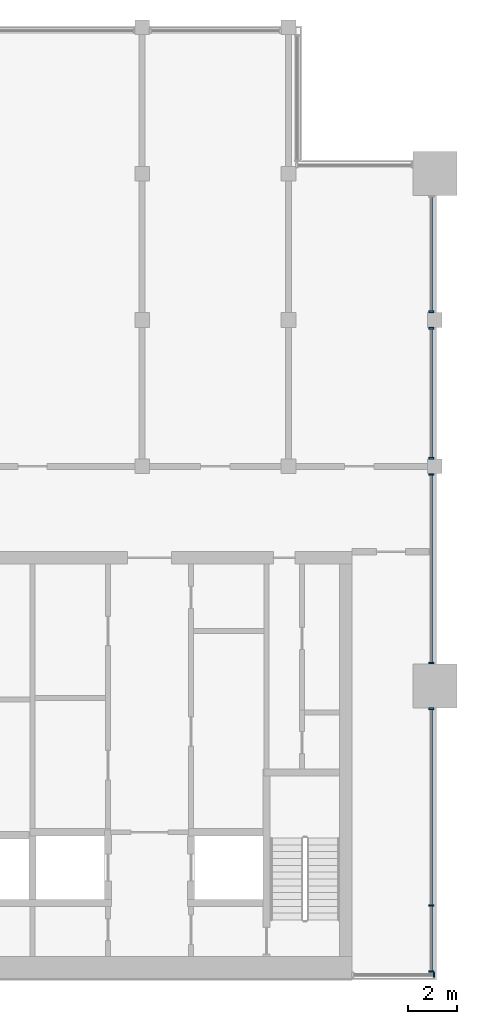
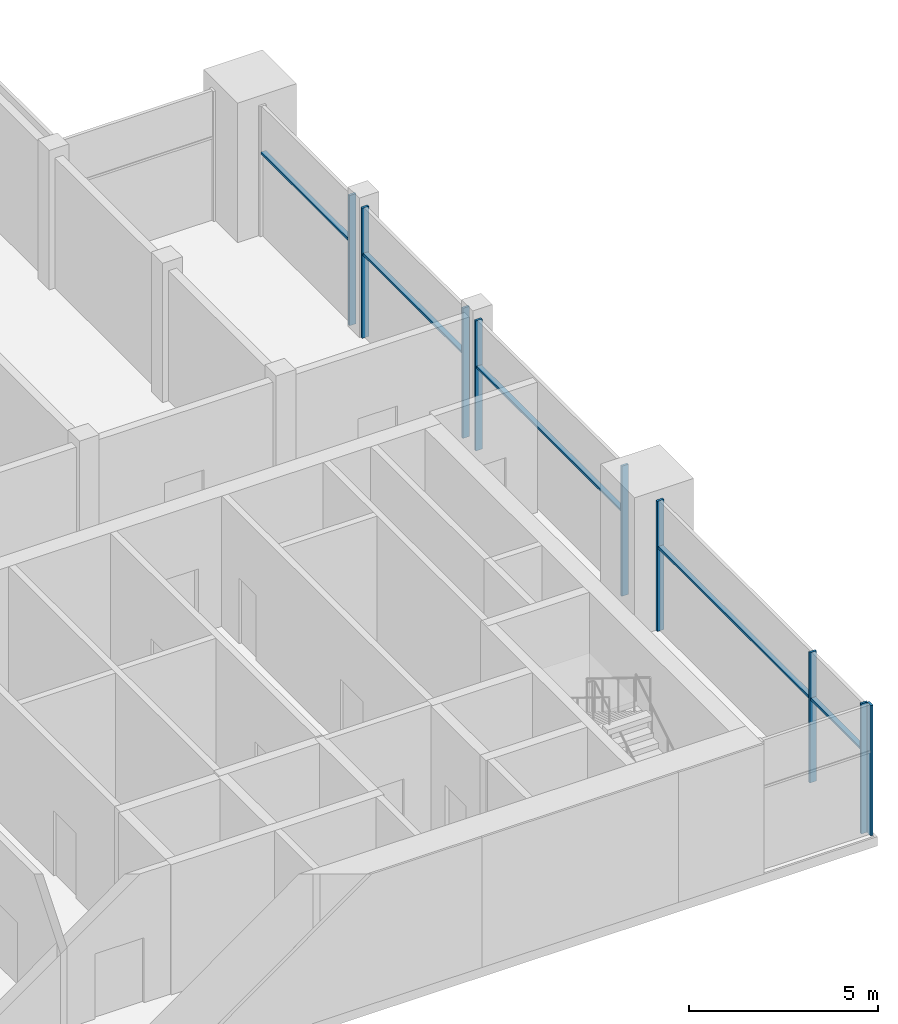
# One storey, part 4 of 9: 14 members, 5 elements without a shape of their own.
"""IFC4 building model written with IfcOpenShell, lengths in metres."""

import ifcopenshell
import ifcopenshell.guid

model = None  # the IFC model being written
_history = None  # IfcOwnerHistory: only IFC2X3 demands one
_inside = {}  # id of a spatial element -> (the spatial element, [elements in it])
_under = {}  # id of a project, library or spatial element -> (it, [spatial elements below it])
_declared = {}  # id of a project -> (the project, [libraries it declares])
_typed = {}  # id of a type object -> (the type object, [elements of that type])
_made_of = {}  # id of a material, layer set ... -> (it, [elements and type objects made of it])


def new_model(schema):
    """Start an empty IFC model of exactly this schema.

    Asked for "IFC4X3", IfcOpenShell would pick the latest addendum, in which some entities
    have other attributes; the version numbers below select the first issue.
    IFC2X3 requires an IfcOwnerHistory on every rooted entity: one is made here for all.
    """
    global model, _history
    if schema == "IFC4X3":
        model = ifcopenshell.file(schema_version=(4, 3, 0, 0))
    else:
        model = ifcopenshell.file(schema=schema)
    _inside.clear()
    _under.clear()
    _declared.clear()
    _typed.clear()
    _made_of.clear()
    _history = None
    if model.schema == "IFC2X3":
        org = make("IfcOrganization", Name="unknown")
        user = make(
            "IfcPersonAndOrganization",
            ThePerson=make("IfcPerson", FamilyName="unknown"),
            TheOrganization=org,
        )
        app = make(
            "IfcApplication",
            ApplicationDeveloper=org,
            Version="unknown",
            ApplicationFullName="unknown",
            ApplicationIdentifier="unknown",
        )
        _history = make(
            "IfcOwnerHistory",
            OwningUser=user,
            OwningApplication=app,
            ChangeAction="ADDED",
            CreationDate=0,
        )
    return model


def make(cls, **values):
    """One entity of the class cls with the attributes given. An attribute that is None is left unset."""
    return model.create_entity(
        cls, **{name: value for name, value in values.items() if value is not None}
    )


def rooted(cls, **values):
    """An entity with a GlobalId (a new one), such as an element, a storey or a relation."""
    return make(cls, GlobalId=ifcopenshell.guid.new(), OwnerHistory=_history, **values)


def si_unit(unit_type, name, prefix=None):
    """IfcSIUnit, for example si_unit("LENGTHUNIT", "METRE", prefix="MILLI")."""
    return make("IfcSIUnit", UnitType=unit_type, Prefix=prefix, Name=name)


def assignment(units):
    """IfcUnitAssignment: the units of a project."""
    return None if units is None else make("IfcUnitAssignment", Units=units)


def point(xyz):
    """IfcCartesianPoint."""
    return None if xyz is None else make("IfcCartesianPoint", Coordinates=xyz)


def direction(xyz):
    """IfcDirection."""
    return None if xyz is None else make("IfcDirection", DirectionRatios=xyz)


def frame(location, z_axis=None, x_axis=None):
    """IfcAxis2Placement3D, a coordinate frame: its origin and axes. An axis left out is left unset."""
    return make(
        "IfcAxis2Placement3D",
        Location=point(location),
        Axis=direction(z_axis),
        RefDirection=direction(x_axis),
    )


def frame_2d(location, x_axis=None):
    """IfcAxis2Placement2D, a coordinate frame in the plane: its origin and x axis."""
    return make(
        "IfcAxis2Placement2D", Location=point(location), RefDirection=direction(x_axis)
    )


def origin():
    """The frame at (0, 0, 0) with its axes left unset."""
    return frame((0.0, 0.0, 0.0))


def origin_2d():
    """The frame at (0, 0) in the plane with its x axis left unset."""
    return frame_2d((0.0, 0.0))


def place(relative_to, where):
    """IfcLocalPlacement: puts the frame where relative to a parent placement (None: the world)."""
    return make(
        "IfcLocalPlacement", PlacementRelTo=relative_to, RelativePlacement=where
    )


def context(
    kind, dimensions, precision=None, world=None, true_north=None, identifier=None
):
    """IfcGeometricRepresentationContext, for example the 3D "Model" context."""
    return make(
        "IfcGeometricRepresentationContext",
        ContextIdentifier=identifier,
        ContextType=kind,
        CoordinateSpaceDimension=dimensions,
        Precision=precision,
        WorldCoordinateSystem=world,
        TrueNorth=true_north,
    )


def subcontext(parent, identifier, kind, view, scale=None):
    """IfcGeometricRepresentationSubContext, for example "Body" below "Model"."""
    return make(
        "IfcGeometricRepresentationSubContext",
        ContextIdentifier=identifier,
        ContextType=kind,
        ParentContext=parent,
        TargetScale=scale,
        TargetView=view,
    )


def project(units=None, contexts=None):
    """IfcProject with its units and contexts."""
    return rooted(
        "IfcProject",
        Name="project",
        RepresentationContexts=contexts,
        UnitsInContext=assignment(units),
    )


def spatial(cls, under=None, at=None, **own):
    """A site, building, storey or space (cls), placed at a placement, below another one or the project."""
    s = rooted(cls, ObjectPlacement=at, **own)
    if under is not None:
        _under.setdefault(under.id(), (under, []))[1].append(s)
    return s


def profile(cls, at=None, kind="AREA", **sizes):
    """A parametric profile (cls). Its sizes go by their IFC names, for example OverallWidth=200.0."""
    return make(cls, ProfileType=kind, Position=at, **sizes)


def rectangle(**sizes):
    """IfcRectangleProfileDef."""
    return profile("IfcRectangleProfileDef", **sizes)


def extrude(swept, where, along, depth):
    """IfcExtrudedAreaSolid: the profile swept, set in the frame where, extruded along a direction by depth."""
    return make(
        "IfcExtrudedAreaSolid",
        SweptArea=swept,
        Position=where,
        ExtrudedDirection=direction(along),
        Depth=depth,
    )


def shape(context_of_items, identifier, shape_type, items):
    """IfcShapeRepresentation: the items that make up one representation, for example the "Body"."""
    return make(
        "IfcShapeRepresentation",
        ContextOfItems=context_of_items,
        RepresentationIdentifier=identifier,
        RepresentationType=shape_type,
        Items=items,
    )


def material(Name=None, Category=None):
    """IfcMaterial."""
    return make("IfcMaterial", Name=Name, Category=Category)


def material_profile(
    of_material, cross_section, Name=None, Category=None, Priority=None
):
    """IfcMaterialProfile: a cross section and its material."""
    return make(
        "IfcMaterialProfile",
        Name=Name,
        Material=of_material,
        Profile=cross_section,
        Priority=Priority,
        Category=Category,
    )


def profile_set(profiles, Name=None, composite=None):
    """IfcMaterialProfileSet."""
    return make(
        "IfcMaterialProfileSet",
        Name=Name,
        MaterialProfiles=profiles,
        CompositeProfile=composite,
    )


def made_of(thing, what):
    """Note that an element or type object is made of a material, layer set ...; save() writes the relation."""
    if what is not None:
        _made_of.setdefault(what.id(), (what, []))[1].append(thing)
    return thing


def type_object(cls, material=None, **own):
    """A type object (cls), such as IfcWallType, which elements share."""
    return made_of(rooted(cls, **own), material)


def element(
    cls,
    number,
    at=None,
    inside=None,
    cuts=None,
    type_object=None,
    material=None,
    context=None,
    identifier="Body",
    shape_type=None,
    held_by="IfcProductDefinitionShape",
    body=None,
    shapes=None,
    **own,
):
    """One element of the class cls, such as IfcWall. Its Tag is "e" and its number.

    at: its placement. inside: the storey or other place that contains it. cuts: it is an
    opening in that element (IfcRelVoidsElement). A single representation is given by context,
    identifier, shape_type and body (its items); several are given by shapes. held_by: the class
    of the entity that holds the representations. save() writes the other relations.
    """
    e = rooted(cls, Tag="e%d" % number, ObjectPlacement=at, **own)
    if body is not None:
        shapes = [shape(context, identifier, shape_type, body)]
    if shapes is not None:
        e.Representation = make(held_by, Representations=shapes)
    if inside is not None:
        _inside.setdefault(inside.id(), (inside, []))[1].append(e)
    if cuts is not None:
        rooted(
            "IfcRelVoidsElement", RelatingBuildingElement=cuts, RelatedOpeningElement=e
        )
    if type_object is not None:
        _typed.setdefault(type_object.id(), (type_object, []))[1].append(e)
    return made_of(e, material)


def aggregate(whole, parts):
    """IfcRelAggregates: a whole, such as a stair, and the parts it consists of."""
    return rooted("IfcRelAggregates", RelatingObject=whole, RelatedObjects=parts)


def save(model, path):
    """Write the relations noted so far, then the file.

    IfcRelAggregates (storeys below a building ...), IfcRelContainedInSpatialStructure (elements
    in a storey), IfcRelDefinesByType, IfcRelAssociatesMaterial and IfcRelDeclares: one each for
    every whole, place, type object, material and project.
    """
    for whole, parts in _under.values():
        aggregate(whole, parts)
    for where, things in _inside.values():
        rooted(
            "IfcRelContainedInSpatialStructure",
            RelatedElements=things,
            RelatingStructure=where,
        )
    for kind, things in _typed.values():
        rooted("IfcRelDefinesByType", RelatedObjects=things, RelatingType=kind)
    for what, things in _made_of.values():
        rooted("IfcRelAssociatesMaterial", RelatedObjects=things, RelatingMaterial=what)
    for by, libraries in _declared.values():
        rooted("IfcRelDeclares", RelatingContext=by, RelatedDefinitions=libraries)
    model.write(path)


model = new_model("IFC4")

# Units and contexts
model_context = context("Model", 3, precision=1e-05, world=origin(), true_north=direction((0.0, 1.0)))
body_context = subcontext(model_context, "Body", "Model", "MODEL_VIEW")
ifc_project = project(units=[si_unit("LENGTHUNIT", "METRE"), si_unit("AREAUNIT", "SQUARE_METRE"), si_unit("VOLUMEUNIT", "CUBIC_METRE"), si_unit("PLANEANGLEUNIT", "RADIAN"), si_unit("MASSUNIT", "GRAM", prefix="KILO")], contexts=[model_context])

# Site, building, storey
site_placement = place(None, origin())
site = spatial("IfcSite", under=ifc_project, at=site_placement, CompositionType="ELEMENT")
building_placement = place(site_placement, origin())
building = spatial("IfcBuilding", under=site, at=building_placement, Name="Finial Court Residences", CompositionType="ELEMENT")
storey_placement = place(building_placement, frame((0.0, 0.0, 303.199951171875)))
storey = spatial("IfcBuildingStorey", under=building, at=storey_placement, Name="L77", CompositionType="ELEMENT", Elevation=303.199951171875)

# Curtain wall, members
ifc_material = material(Name="Bronze anodised aluminium", Category="aluminium")
curtain_wall_type = type_object("IfcCurtainWallType", Name="Crown lantern glazing", PredefinedType="NOTDEFINED", material=ifc_material)
curtain_wall_1_placement = place(storey_placement, origin())
curtain_wall_1 = element("IfcCurtainWall", 1, at=curtain_wall_1_placement, inside=storey, type_object=curtain_wall_type, Name="E-L77-CW-E2c1", PredefinedType="NOTDEFINED")
ifc_material_profile_1 = material_profile(ifc_material, rectangle(XDim=0.199951171875, YDim=0.070068359375, at=origin_2d()), Name="CW6 mullion 70 x 200")
ifc_profile_set_1 = profile_set([ifc_material_profile_1], Name="Bronze anodised aluminium")
member_type_1 = type_object("IfcMemberType", Name="CW6 mullion 70 x 200", PredefinedType="MULLION", material=ifc_profile_set_1)
member_1_placement = place(storey_placement, frame((16.35009765625, -25.215087890625, 0.0), z_axis=(0.0, 0.0, 1.0), x_axis=(-1.0, 0.0, 0.0)))
member_1 = element("IfcMember", 2, at=member_1_placement, type_object=member_type_1, Name="CW6 mullion 1", PredefinedType="MULLION", context=body_context, shape_type="SweptSolid", body=[
    extrude(rectangle(XDim=0.199951171875, YDim=0.070068359375, at=origin_2d()), origin(), (0.0, 0.0, 1.0), 4.199951171875),
])
member_2_placement = place(storey_placement, frame((16.35009765625, -22.5, 0.0), z_axis=(0.0, 0.0, 1.0), x_axis=(-1.0, 0.0, 0.0)))
member_2 = element("IfcMember", 3, at=member_2_placement, type_object=member_type_1, Name="CW6 mullion 2", PredefinedType="MULLION", context=body_context, shape_type="SweptSolid", body=[
    extrude(rectangle(XDim=0.199951171875, YDim=0.070068359375, at=origin_2d()), origin(), (0.0, 0.0, 1.0), 4.199951171875),
])
member_3_placement = place(storey_placement, frame((16.35009765625, -14.43505859375, 0.0), z_axis=(0.0, 0.0, 1.0), x_axis=(-1.0, 0.0, 0.0)))
member_3 = element("IfcMember", 4, at=member_3_placement, type_object=member_type_1, Name="CW6 mullion 3", PredefinedType="MULLION", context=body_context, shape_type="SweptSolid", body=[
    extrude(rectangle(XDim=0.199951171875, YDim=0.070068359375, at=origin_2d()), origin(), (0.0, 0.0, 1.0), 4.199951171875),
])

curtain_wall_2_placement = place(storey_placement, origin())
curtain_wall_2 = element("IfcCurtainWall", 5, at=curtain_wall_2_placement, inside=storey, type_object=curtain_wall_type, Name="E-L77-CW-E2c2", PredefinedType="NOTDEFINED")
member_4_placement = place(storey_placement, frame((16.35009765625, -12.56494140625, 0.0), z_axis=(0.0, 0.0, 1.0), x_axis=(-1.0, 0.0, 0.0)))
member_4 = element("IfcMember", 6, at=member_4_placement, type_object=member_type_1, Name="CW6 mullion 1", PredefinedType="MULLION", context=body_context, shape_type="SweptSolid", body=[
    extrude(rectangle(XDim=0.199951171875, YDim=0.070068359375, at=origin_2d()), origin(), (0.0, 0.0, 1.0), 4.199951171875),
])
member_5_placement = place(storey_placement, frame((16.35009765625, -4.8349609375, 0.0), z_axis=(0.0, 0.0, 1.0), x_axis=(-1.0, 0.0, 0.0)))
member_5 = element("IfcMember", 7, at=member_5_placement, type_object=member_type_1, Name="CW6 mullion 2", PredefinedType="MULLION", context=body_context, shape_type="SweptSolid", body=[
    extrude(rectangle(XDim=0.199951171875, YDim=0.070068359375, at=origin_2d()), origin(), (0.0, 0.0, 1.0), 4.199951171875),
])

curtain_wall_3_placement = place(storey_placement, origin())
curtain_wall_3 = element("IfcCurtainWall", 8, at=curtain_wall_3_placement, inside=storey, type_object=curtain_wall_type, Name="E-L77-CW-E2c3", PredefinedType="NOTDEFINED")
member_6_placement = place(storey_placement, frame((16.35009765625, -4.1650390625, 0.0), z_axis=(0.0, 0.0, 1.0), x_axis=(-1.0, 0.0, 0.0)))
member_6 = element("IfcMember", 9, at=member_6_placement, type_object=member_type_1, Name="CW6 mullion 1", PredefinedType="MULLION", context=body_context, shape_type="SweptSolid", body=[
    extrude(rectangle(XDim=0.199951171875, YDim=0.070068359375, at=origin_2d()), origin(), (0.0, 0.0, 1.0), 4.199951171875),
])
member_7_placement = place(storey_placement, frame((16.35009765625, 1.1650390625, 0.0), z_axis=(0.0, 0.0, 1.0), x_axis=(-1.0, 0.0, 0.0)))
member_7 = element("IfcMember", 10, at=member_7_placement, type_object=member_type_1, Name="CW6 mullion 2", PredefinedType="MULLION", context=body_context, shape_type="SweptSolid", body=[
    extrude(rectangle(XDim=0.199951171875, YDim=0.070068359375, at=origin_2d()), origin(), (0.0, 0.0, 1.0), 4.199951171875),
])

# Curtain wall, member
curtain_wall_4_placement = place(storey_placement, origin())
curtain_wall_4 = element("IfcCurtainWall", 11, at=curtain_wall_4_placement, inside=storey, type_object=curtain_wall_type, Name="E-L77-CW-E2c4", PredefinedType="NOTDEFINED")
member_8_placement = place(storey_placement, frame((16.35009765625, 1.8349609375, 0.0), z_axis=(0.0, 0.0, 1.0), x_axis=(-1.0, 0.0, 0.0)))
member_8 = element("IfcMember", 12, at=member_8_placement, type_object=member_type_1, Name="CW6 mullion 1", PredefinedType="MULLION", context=body_context, shape_type="SweptSolid", body=[
    extrude(rectangle(XDim=0.199951171875, YDim=0.070068359375, at=origin_2d()), origin(), (0.0, 0.0, 1.0), 4.199951171875),
])

curtain_wall_5_placement = place(storey_placement, origin())
curtain_wall_5 = element("IfcCurtainWall", 13, at=curtain_wall_5_placement, inside=storey, type_object=curtain_wall_type, Name="E-L77-CW-S4", PredefinedType="NOTDEFINED")
member_9_placement = place(storey_placement, frame((16.465087890625, -25.35009765625, 0.0), z_axis=(0.0, 0.0, 1.0), x_axis=(0.0, 1.0, 0.0)))
member_9 = element("IfcMember", 14, at=member_9_placement, type_object=member_type_1, Name="CW6 mullion 2", PredefinedType="MULLION", context=body_context, shape_type="SweptSolid", body=[
    extrude(rectangle(XDim=0.199951171875, YDim=0.070068359375, at=origin_2d()), origin(), (0.0, 0.0, 1.0), 4.199951171875),
])
aggregate(curtain_wall_5, [member_9])

# Member
ifc_material_profile_2 = material_profile(ifc_material, rectangle(XDim=0.14990234375, YDim=0.070068359375, at=origin_2d()), Name="CW6 transom 70 x 150")
ifc_profile_set_2 = profile_set([ifc_material_profile_2], Name="Bronze anodised aluminium")
member_type_2 = type_object("IfcMemberType", Name="CW6 transom 70 x 150", PredefinedType="USERDEFINED", material=ifc_profile_set_2)
member_10_placement = place(storey_placement, frame((16.35009765625, -25.179931640625, 2.699951171875), z_axis=(0.0, 1.0, 0.0), x_axis=(-1.0, 0.0, 0.0)))
member_10 = element("IfcMember", 15, at=member_10_placement, type_object=member_type_2, Name="CW6 transom 1.1", ObjectType="TRANSOM", PredefinedType="USERDEFINED", context=body_context, shape_type="SweptSolid", body=[
    extrude(rectangle(XDim=0.14990234375, YDim=0.070068359375, at=origin_2d()), origin(), (0.0, 0.0, 1.0), 2.64501953125),
])

member_11_placement = place(storey_placement, frame((16.35009765625, -22.465087890625, 2.699951171875), z_axis=(0.0, 1.0, 0.0), x_axis=(-1.0, 0.0, 0.0)))
member_11 = element("IfcMember", 16, at=member_11_placement, type_object=member_type_2, Name="CW6 transom 2.1", ObjectType="TRANSOM", PredefinedType="USERDEFINED", context=body_context, shape_type="SweptSolid", body=[
    extrude(rectangle(XDim=0.14990234375, YDim=0.070068359375, at=origin_2d()), origin(), (0.0, 0.0, 1.0), 7.9951171875),
])

aggregate(curtain_wall_1, [member_1, member_2, member_3, member_10, member_11])

member_12_placement = place(storey_placement, frame((16.35009765625, -12.530029296875, 2.699951171875), z_axis=(0.0, 1.0, 0.0), x_axis=(-1.0, 0.0, 0.0)))
member_12 = element("IfcMember", 17, at=member_12_placement, type_object=member_type_2, Name="CW6 transom 1.1", ObjectType="TRANSOM", PredefinedType="USERDEFINED", context=body_context, shape_type="SweptSolid", body=[
    extrude(rectangle(XDim=0.14990234375, YDim=0.070068359375, at=origin_2d()), origin(), (0.0, 0.0, 1.0), 7.659912109375),
])

aggregate(curtain_wall_2, [member_4, member_5, member_12])

member_13_placement = place(storey_placement, frame((16.35009765625, -4.1298828125, 2.699951171875), z_axis=(0.0, 1.0, 0.0), x_axis=(-1.0, 0.0, 0.0)))
member_13 = element("IfcMember", 18, at=member_13_placement, type_object=member_type_2, Name="CW6 transom 1.1", ObjectType="TRANSOM", PredefinedType="USERDEFINED", context=body_context, shape_type="SweptSolid", body=[
    extrude(rectangle(XDim=0.14990234375, YDim=0.070068359375, at=origin_2d()), origin(), (0.0, 0.0, 1.0), 5.259765625),
])

aggregate(curtain_wall_3, [member_6, member_7, member_13])

member_14_placement = place(storey_placement, frame((16.35009765625, 1.8701171875, 2.699951171875), z_axis=(0.0, 1.0, 0.0), x_axis=(-1.0, 0.0, 0.0)))
member_14 = element("IfcMember", 19, at=member_14_placement, type_object=member_type_2, Name="CW6 transom 1.1", ObjectType="TRANSOM", PredefinedType="USERDEFINED", context=body_context, shape_type="SweptSolid", body=[
    extrude(rectangle(XDim=0.14990234375, YDim=0.070068359375, at=origin_2d()), origin(), (0.0, 0.0, 1.0), 4.659912109375),
])

aggregate(curtain_wall_4, [member_8, member_14])

save(model, "model.ifc")
